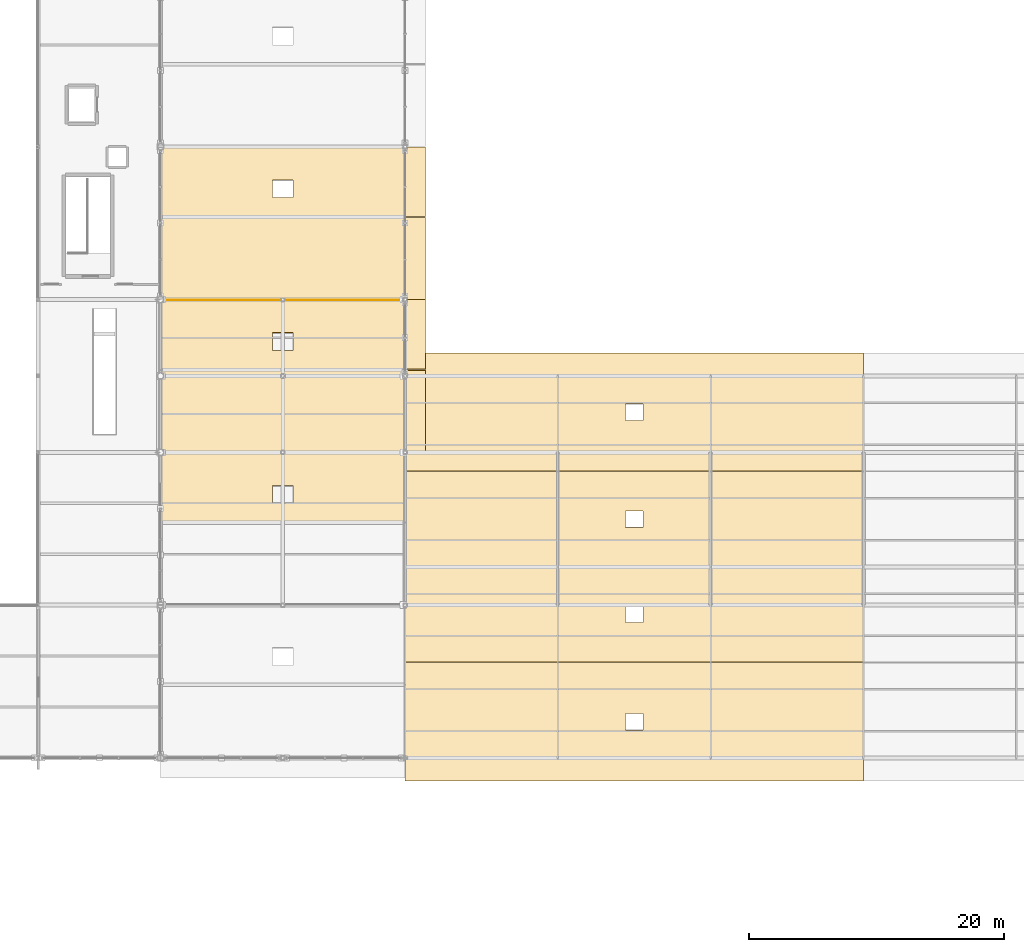
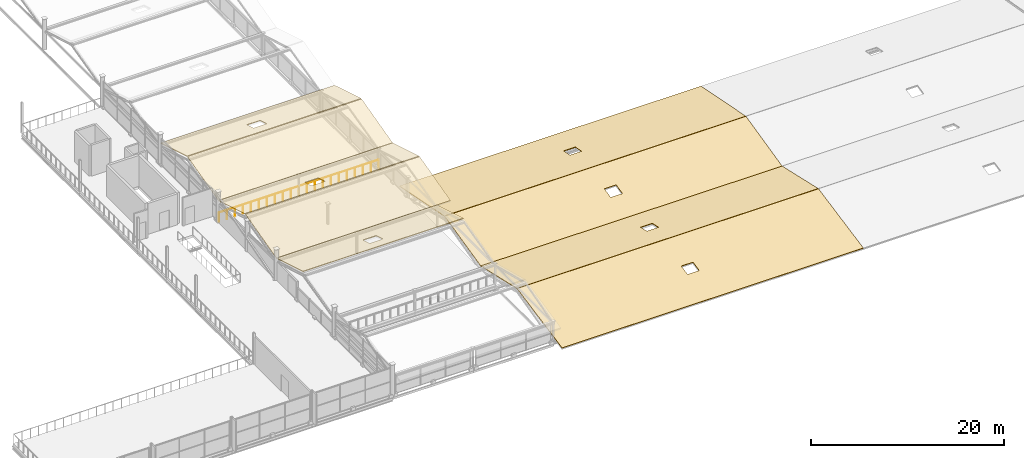
# One storey, part 115 of 117: 9 coverings, 1 railing.
"""IFC4 building model written with IfcOpenShell, lengths in metres."""

from ifc_helpers import new_model, si_unit, direction, frame, origin, origin_2d, place, context, subcontext, project, spatial, polyline, circle, outline, extrude, material, layer, layer_set, type_object, element, save


model = new_model("IFC4")

# Units and contexts
model_context = context("Model", 3, precision=1e-05, world=origin(), true_north=direction((0.0, 1.0)))
body_context = subcontext(model_context, "Body", "Model", "MODEL_VIEW")
ifc_project = project(units=[si_unit("LENGTHUNIT", "METRE"), si_unit("AREAUNIT", "SQUARE_METRE"), si_unit("VOLUMEUNIT", "CUBIC_METRE"), si_unit("PLANEANGLEUNIT", "RADIAN"), si_unit("MASSUNIT", "GRAM", prefix="KILO")], contexts=[model_context])

# Site, building, storey
site_placement = place(None, origin())
site = spatial("IfcSite", under=ifc_project, at=site_placement, CompositionType="ELEMENT")
building_placement = place(site_placement, origin())
building = spatial("IfcBuilding", under=site, at=building_placement, Name="Merenkruunu Market Hall", CompositionType="ELEMENT")
storey_placement = place(building_placement, frame((0.0, 0.0, 10.199951171875)))
storey = spatial("IfcBuildingStorey", under=building, at=storey_placement, Name="L02", CompositionType="ELEMENT", Elevation=10.199951171875)

# Railing
ifc_material_1 = material(Name="Laminated safety glass", Category="glass")
railing_type = type_object("IfcRailingType", Name="High Drop Balustrade Guard GR02", PredefinedType="BALUSTRADE", material=ifc_material_1)
railing_placement = place(storey_placement, frame((57.64990234375, 51.550048828125, 0.0)))
element("IfcRailing", 1, at=railing_placement, inside=storey, type_object=railing_type, Name="RAIL-L02-0136", PredefinedType="BALUSTRADE", context=body_context, shape_type="SweptSolid", body=[
    extrude(circle(Radius=0.02392578125, at=origin_2d()), frame((0.0, 0.0, 1.17578125), z_axis=(1.0, 0.0, 0.0), x_axis=(0.0, 1.0, 0.0)), (0.0, 0.0, 1.0), 19.10009765625),
    extrude(circle(Radius=0.02099609375, at=origin_2d()), origin(), (0.0, 0.0, 1.0), 1.15185546875),
    extrude(circle(Radius=0.02099609375, at=origin_2d()), frame((0.955078125, 0.0, 0.0)), (0.0, 0.0, 1.0), 1.15185546875),
    extrude(circle(Radius=0.02099609375, at=origin_2d()), frame((1.909912109375, 0.0, 0.0)), (0.0, 0.0, 1.0), 1.15185546875),
    extrude(circle(Radius=0.02099609375, at=origin_2d()), frame((2.864990234375, 0.0, 0.0)), (0.0, 0.0, 1.0), 1.15185546875),
    extrude(circle(Radius=0.02099609375, at=origin_2d()), frame((3.820068359375, 0.0, 0.0)), (0.0, 0.0, 1.0), 1.15185546875),
    extrude(circle(Radius=0.02099609375, at=origin_2d()), frame((4.77490234375, 0.0, 0.0)), (0.0, 0.0, 1.0), 1.15185546875),
    extrude(circle(Radius=0.02099609375, at=origin_2d()), frame((5.72998046875, 0.0, 0.0)), (0.0, 0.0, 1.0), 1.15185546875),
    extrude(circle(Radius=0.02099609375, at=origin_2d()), frame((6.68505859375, 0.0, 0.0)), (0.0, 0.0, 1.0), 1.15185546875),
    extrude(circle(Radius=0.02099609375, at=origin_2d()), frame((7.64013671875, 0.0, 0.0)), (0.0, 0.0, 1.0), 1.15185546875),
    extrude(circle(Radius=0.02099609375, at=origin_2d()), frame((8.594970703125, 0.0, 0.0)), (0.0, 0.0, 1.0), 1.15185546875),
    extrude(circle(Radius=0.02099609375, at=origin_2d()), frame((9.550048828125, 0.0, 0.0)), (0.0, 0.0, 1.0), 1.15185546875),
    extrude(circle(Radius=0.02099609375, at=origin_2d()), frame((10.505126953125, 0.0, 0.0)), (0.0, 0.0, 1.0), 1.15185546875),
    extrude(circle(Radius=0.02099609375, at=origin_2d()), frame((11.4599609375, 0.0, 0.0)), (0.0, 0.0, 1.0), 1.15185546875),
    extrude(circle(Radius=0.02099609375, at=origin_2d()), frame((12.4150390625, 0.0, 0.0)), (0.0, 0.0, 1.0), 1.15185546875),
    extrude(circle(Radius=0.02099609375, at=origin_2d()), frame((13.3701171875, 0.0, 0.0)), (0.0, 0.0, 1.0), 1.15185546875),
    extrude(circle(Radius=0.02099609375, at=origin_2d()), frame((14.3251953125, 0.0, 0.0)), (0.0, 0.0, 1.0), 1.15185546875),
    extrude(circle(Radius=0.02099609375, at=origin_2d()), frame((15.280029296875, 0.0, 0.0)), (0.0, 0.0, 1.0), 1.15185546875),
    extrude(circle(Radius=0.02099609375, at=origin_2d()), frame((16.235107421875, 0.0, 0.0)), (0.0, 0.0, 1.0), 1.15185546875),
    extrude(circle(Radius=0.02099609375, at=origin_2d()), frame((17.190185546875, 0.0, 0.0)), (0.0, 0.0, 1.0), 1.15185546875),
    extrude(circle(Radius=0.02099609375, at=origin_2d()), frame((18.14501953125, 0.0, 0.0)), (0.0, 0.0, 1.0), 1.15185546875),
    extrude(circle(Radius=0.02099609375, at=origin_2d()), frame((19.10009765625, 0.0, 0.0)), (0.0, 0.0, 1.0), 1.15185546875),
])

# Coverings
ifc_material_2 = material(Name="High-albedo white steel roof cladding", Category="steel")
ifc_layer = layer(ifc_material_2, 0.080078125)
ifc_layer_set = layer_set([ifc_layer], Name="High-albedo white steel roof cladding")
covering_type = type_object("IfcCoveringType", Name="Insulated White Diamond Roof Panel RFG01", PredefinedType="ROOFING", material=ifc_layer_set)
covering_1_placement = place(storey_placement, frame((76.800048828125, 13.7841796875, 0.279052734375), z_axis=(0.0, -0.195110908109, 0.98078118535), x_axis=(1.0, 0.0, 0.0)))
element("IfcCovering", 2, at=covering_1_placement, inside=storey, type_object=covering_type, Name="COV-SLRF-001", PredefinedType="ROOFING", context=body_context, shape_type="SweptSolid", body=[
    extrude(outline(polyline([(0.0, 0.0), (36.0, 0.0), (36.0, 9.482287147264152), (0.0, 9.482287147264152), (0.0, 0.0)]), holes=[polyline([(17.300048828125, 4.078413208303833), (18.699951171875, 4.078413208303833), (18.699951171875, 5.403921573459369), (17.300048828125, 5.403921573459369), (17.300048828125, 4.078413208303833)])]), origin(), (0.0, 0.0, -1.0), 0.080078125),
])
covering_2_placement = place(storey_placement, frame((76.800048828125, 23.117919921875, 2.128662109375), z_axis=(0.0, 0.221052991553, 0.975261798147), x_axis=(1.0, 0.0, 0.0)))
element("IfcCovering", 3, at=covering_2_placement, inside=storey, type_object=covering_type, Name="COV-SLRF-002", PredefinedType="ROOFING", context=body_context, shape_type="SweptSolid", body=[
    extrude(outline(polyline([(0.0, 0.0), (36.0, 0.0), (36.0, 7.69024277814161), (0.0, 7.69024277814161), (0.0, 0.0)]), holes=[polyline([(17.300048828125, 3.1784886622962816), (18.699951171875, 3.1784886622962816), (18.699951171875, 4.51151601482039), (17.300048828125, 4.51151601482039), (17.300048828125, 3.1784886622962816)])]), origin(), (0.0, 0.0, -1.0), 0.080078125),
])
covering_3_placement = place(storey_placement, frame((76.800048828125, 30.581787109375, 0.428466796875), z_axis=(0.0, -0.227229615606, 0.973841209742), x_axis=(1.0, 0.0, 0.0)))
element("IfcCovering", 4, at=covering_3_placement, inside=storey, type_object=covering_type, Name="COV-SLRF-003", PredefinedType="ROOFING", context=body_context, shape_type="SweptSolid", body=[
    extrude(outline(polyline([(0.0, 0.0), (36.0, 0.0), (36.0, 7.701460900374682), (0.0, 7.701460900374682), (0.0, 0.0)]), holes=[polyline([(17.300048828125, 3.183140427522795), (18.699951171875, 3.183140427522795), (18.699951171875, 4.518138194630663), (17.300048828125, 4.518138194630663), (17.300048828125, 3.183140427522795)])]), origin(), (0.0, 0.0, -1.0), 0.080078125),
])
covering_4_placement = place(storey_placement, frame((76.800048828125, 38.11572265625, 2.17919921875), z_axis=(0.0, 0.195110908109, 0.98078118535), x_axis=(1.0, 0.0, 0.0)))
element("IfcCovering", 5, at=covering_4_placement, inside=storey, type_object=covering_type, Name="COV-SLRF-004", PredefinedType="ROOFING", context=body_context, shape_type="SweptSolid", body=[
    extrude(outline(polyline([(0.0, 0.0), (36.0, 0.0), (36.0, 9.482287147264152), (0.0, 9.482287147264152), (0.0, 0.0)]), holes=[polyline([(17.300048828125, 4.078365573804783), (18.699951171875, 4.078365573804783), (18.699951171875, 5.403921573459369), (17.300048828125, 5.403921573459369), (17.300048828125, 4.078365573804783)])]), origin(), (0.0, 0.0, -1.0), 0.080078125),
])
covering_5_placement = place(storey_placement, frame((57.60009765625, 34.13330078125, 4.3271484375), z_axis=(0.0, 0.289263634629, 0.957249470975), x_axis=(1.0, 0.0, 0.0)))
element("IfcCovering", 6, at=covering_5_placement, inside=storey, type_object=covering_type, Name="COV-SLRF-012", PredefinedType="ROOFING", context=body_context, shape_type="SweptSolid", body=[
    extrude(outline(polyline([(0.0, 0.0), (19.199951171875, 0.0), (19.199951171875, 5.7038014677000834), (0.0, 5.7038014677000834), (0.0, 0.0)]), holes=[polyline([(8.7998046875, 1.535588285187606), (10.39990234375, 1.535588285187606), (10.39990234375, 2.998263967524421), (8.7998046875, 2.998263967524421), (8.7998046875, 1.535588285187606)])]), origin(), (0.0, 0.0, -1.0), 0.080078125),
])
covering_6_placement = place(storey_placement, frame((57.60009765625, 39.60986328125, 2.67822265625), z_axis=(0.0, -0.248908770435, 0.968526935093), x_axis=(1.0, 0.0, 0.0)))
element("IfcCovering", 7, at=covering_6_placement, inside=storey, type_object=covering_type, Name="COV-SLRF-013", PredefinedType="ROOFING", context=body_context, shape_type="SweptSolid", body=[
    extrude(outline(polyline([(0.0, 0.0), (20.7998046875, 0.0), (20.7998046875, 6.628542420850549), (0.0, 6.628542420850549), (0.0, 0.0)])), origin(), (0.0, 0.0, -1.0), 0.080078125),
])
covering_7_placement = place(storey_placement, frame((57.60009765625, 46.13330078125, 4.3271484375), z_axis=(0.0, 0.289263634629, 0.957249470975), x_axis=(1.0, 0.0, 0.0)))
element("IfcCovering", 8, at=covering_7_placement, inside=storey, type_object=covering_type, Name="COV-SLRF-014", PredefinedType="ROOFING", context=body_context, shape_type="SweptSolid", body=[
    extrude(outline(polyline([(0.0, 0.0), (20.7998046875, 0.0), (20.7998046875, 5.7038014677000834), (0.0, 5.7038014677000834), (0.0, 0.0)]), holes=[polyline([(8.7998046875, 1.535588285187606), (10.39990234375, 1.535588285187606), (10.39990234375, 2.998263967524421), (8.7998046875, 2.998263967524421), (8.7998046875, 1.535588285187606)])]), origin(), (0.0, 0.0, -1.0), 0.080078125),
])
covering_8_placement = place(storey_placement, frame((57.60009765625, 51.60986328125, 2.67822265625), z_axis=(0.0, -0.248908770435, 0.968526935093), x_axis=(1.0, 0.0, 0.0)))
element("IfcCovering", 9, at=covering_8_placement, inside=storey, type_object=covering_type, Name="COV-SLRF-015", PredefinedType="ROOFING", context=body_context, shape_type="SweptSolid", body=[
    extrude(outline(polyline([(0.0, 0.0), (20.7998046875, 0.0), (20.7998046875, 6.628542420850549), (0.0, 6.628542420850549), (0.0, 0.0)])), origin(), (0.0, 0.0, -1.0), 0.080078125),
])
covering_9_placement = place(storey_placement, frame((57.60009765625, 58.13330078125, 4.3271484375), z_axis=(0.0, 0.289263634629, 0.957249470975), x_axis=(1.0, 0.0, 0.0)))
element("IfcCovering", 10, at=covering_9_placement, inside=storey, type_object=covering_type, Name="COV-SLRF-016", PredefinedType="ROOFING", context=body_context, shape_type="SweptSolid", body=[
    extrude(outline(polyline([(0.0, 0.0), (20.7998046875, 0.0), (20.7998046875, 5.7038014677000834), (0.0, 5.7038014677000834), (0.0, 0.0)]), holes=[polyline([(8.7998046875, 1.535588285187606), (10.39990234375, 1.535588285187606), (10.39990234375, 2.998263967524421), (8.7998046875, 2.998263967524421), (8.7998046875, 1.535588285187606)])]), origin(), (0.0, 0.0, -1.0), 0.080078125),
])

save(model, "model.ifc")
